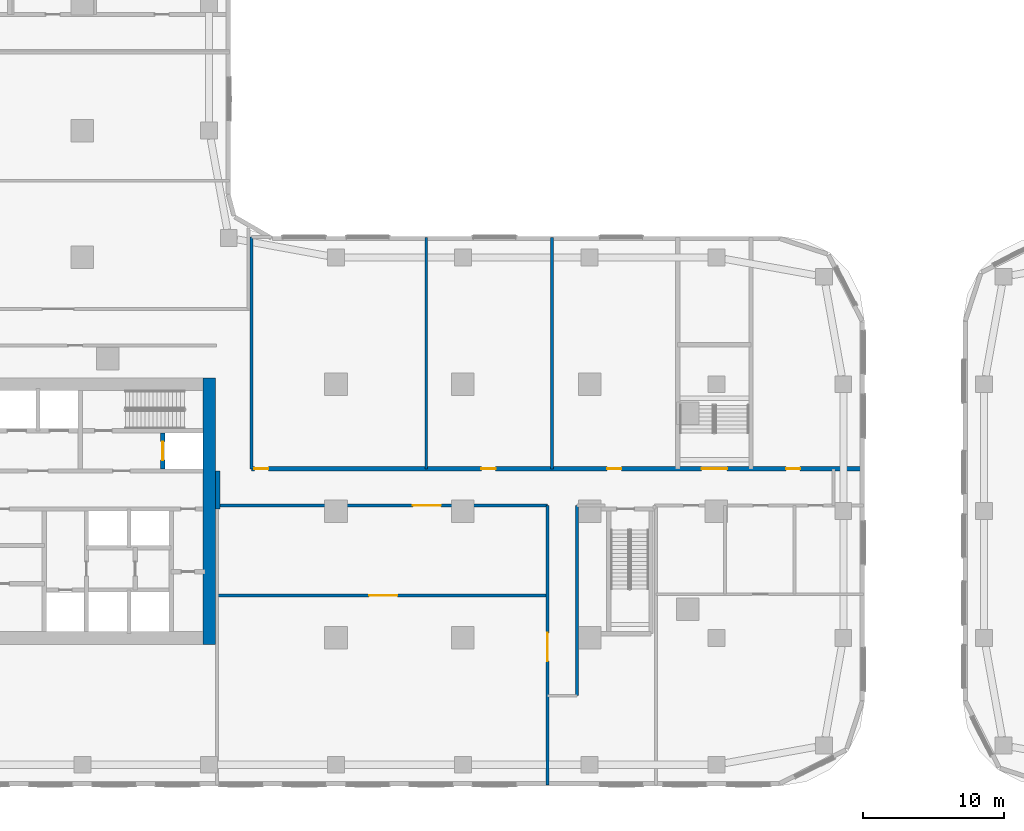
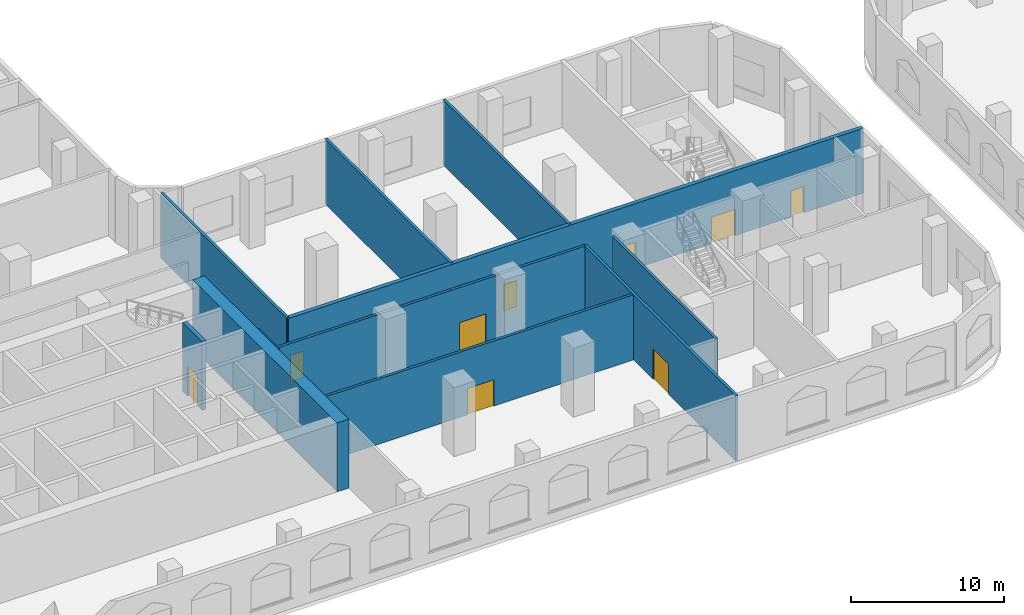
# One storey, part 5 of 31: 11 walls, 9 doors, 9 openings.
"""IFC4 building model written with IfcOpenShell, lengths in metres."""

from ifc_helpers import new_model, si_unit, direction, frame, frame_2d, origin, place, context, subcontext, project, spatial, rectangle, extrude, material, layer, layer_set, type_object, element, fill, save


model = new_model("IFC4")

# Units and contexts
model_context = context("Model", 3, precision=1e-05, world=origin(), true_north=direction((0.0, 1.0)))
body_context = subcontext(model_context, "Body", "Model", "MODEL_VIEW")
ifc_project = project(units=[si_unit("LENGTHUNIT", "METRE"), si_unit("AREAUNIT", "SQUARE_METRE"), si_unit("VOLUMEUNIT", "CUBIC_METRE"), si_unit("PLANEANGLEUNIT", "RADIAN"), si_unit("MASSUNIT", "GRAM", prefix="KILO")], contexts=[model_context])

# Site, building, storey
site_placement = place(None, origin())
site = spatial("IfcSite", under=ifc_project, at=site_placement, CompositionType="ELEMENT")
building_placement = place(site_placement, origin())
building = spatial("IfcBuilding", under=site, at=building_placement, Name="Ogive Portal Towers", CompositionType="ELEMENT")
storey_placement = place(building_placement, frame((0.0, 0.0, 8.0)))
storey = spatial("IfcBuildingStorey", under=building, at=storey_placement, Name="L01", CompositionType="ELEMENT", Elevation=8.0)

# Wall, opening, door
ifc_material_1 = material(Name="Concrete C60/75", Category="concrete")
ifc_layer_1 = layer(ifc_material_1, 0.300048828125)
ifc_layer_set_1 = layer_set([ifc_layer_1], Name="CORE WALL 300 C60")
wall_type_1 = type_object("IfcWallType", Name="CORE WALL 300 C60", PredefinedType="SHEAR", material=ifc_layer_set_1)
wall_1_placement = place(storey_placement, frame((55.199951171875, 33.5, 0.0), z_axis=(0.0, 0.0, 1.0), x_axis=(0.0, 1.0, 0.0)))
wall_1 = element("IfcWall", 1, at=wall_1_placement, inside=storey, type_object=wall_type_1, Name="Core wall X10 L01", PredefinedType="SHEAR", context=body_context, shape_type="SweptSolid", body=[
    extrude(rectangle(XDim=2.550048828125, YDim=0.300048828125, at=frame_2d((1.27490234375, 0.0))), origin(), (0.0, 0.0, 1.0), 5.5),
])
opening_1_placement = place(wall_1_placement, frame((0.625, 0.0, 0.0)))
opening_1 = element("IfcOpeningElement", 2, at=opening_1_placement, cuts=wall_1, Name="Opening D103-018", PredefinedType="OPENING", context=body_context, shape_type="SweptSolid", body=[
    extrude(rectangle(XDim=1.300048828125, YDim=2.39990234375, at=frame_2d((0.64990234375, 1.199951171875))), frame((0.0, 0.16015625, 0.0), z_axis=(0.0, -1.0, 0.0), x_axis=(1.0, 0.0, 0.0)), (0.0, 0.0, 1.0), 0.320068359375),
])
ifc_material_2 = material(Name="Stainless steel", Category="steel")
door_type_1 = type_object("IfcDoorType", Name="DT-LD-1300x2400", OperationType="SLIDING_TO_LEFT", PredefinedType="DOOR", material=ifc_material_2)
door_1_placement = place(opening_1_placement, origin())
door_1 = element("IfcDoor", 3, at=door_1_placement, inside=storey, type_object=door_type_1, Name="Door D103-018", OperationType="SLIDING_TO_LEFT", OverallHeight=2.39990234375, OverallWidth=1.300048828125, PredefinedType="DOOR", context=body_context, shape_type="SweptSolid", body=[
    extrude(rectangle(XDim=1.300048828125, YDim=2.39990234375, at=frame_2d((0.64990234375, 1.199951171875))), frame((0.0, 0.02490234375, 0.0), z_axis=(0.0, -1.0, 0.0), x_axis=(1.0, 0.0, 0.0)), (0.0, 0.0, 1.0), 0.050048828125),
])
fill(opening_1, door_1)

# Wall
ifc_layer_2 = layer(ifc_material_1, 0.89990234375)
ifc_layer_set_2 = layer_set([ifc_layer_2], Name="CORE WALL 900 C60")
wall_type_2 = type_object("IfcWallType", Name="CORE WALL 900 C60", PredefinedType="SHEAR", material=ifc_layer_set_2)
wall_2_placement = place(storey_placement, frame((58.5, 21.050048828125, 0.0), z_axis=(0.0, 0.0, 1.0), x_axis=(0.0, 1.0, 0.0)))
element("IfcWall", 4, at=wall_2_placement, inside=storey, type_object=wall_type_2, Name="Core wall E L01", PredefinedType="SHEAR", context=body_context, shape_type="SweptSolid", body=[
    extrude(rectangle(XDim=18.89990234375, YDim=0.89990234375, at=frame_2d((9.449951171875, 0.0))), origin(), (0.0, 0.0, 1.0), 5.5),
])

# Wall, openings, doors
ifc_material_3 = material(Name="Concrete C50/60", Category="concrete")
ifc_layer_3 = layer(ifc_material_3, 0.300048828125)
ifc_layer_set_3 = layer_set([ifc_layer_3], Name="STAIR WALL 300 C50")
wall_type_3 = type_object("IfcWallType", Name="STAIR WALL 300 C50", PredefinedType="SHEAR", material=ifc_layer_set_3)
wall_3_placement = place(storey_placement, frame((61.5, 33.5, 0.0), z_axis=(0.0, 0.0, 1.0), x_axis=(1.0, 0.0, 0.0)))
wall_3 = element("IfcWall", 5, at=wall_3_placement, inside=storey, type_object=wall_type_3, Name="Stair wall ST-P1 L01", PredefinedType="SHEAR", context=body_context, shape_type="SweptSolid", body=[
    extrude(rectangle(XDim=43.429931640625, YDim=0.300048828125, at=frame_2d((21.71484375, 0.0))), origin(), (0.0, 0.0, 1.0), 5.199951171875),
])
opening_2_placement = place(wall_3_placement, frame((31.949951171875, 0.0, 0.0)))
opening_2 = element("IfcOpeningElement", 6, at=opening_2_placement, cuts=wall_3, Name="Opening P01-003", PredefinedType="OPENING", context=body_context, shape_type="SweptSolid", body=[
    extrude(rectangle(XDim=1.800048828125, YDim=2.10009765625, at=frame_2d((0.89990234375, 1.050048828125))), frame((0.0, 0.16015625, 0.0), z_axis=(0.0, -1.0, 0.0), x_axis=(1.0, 0.0, 0.0)), (0.0, 0.0, 1.0), 0.320068359375),
])
opening_3_placement = place(wall_3_placement, frame((0.199951171875, 0.0, 0.0)))
opening_3 = element("IfcOpeningElement", 7, at=opening_3_placement, cuts=wall_3, Name="Opening P01-015", PredefinedType="OPENING", context=body_context, shape_type="SweptSolid", body=[
    extrude(rectangle(XDim=1.0, YDim=2.10009765625, at=frame_2d((0.5, 1.050048828125))), frame((0.0, 0.16015625, 0.0), z_axis=(0.0, -1.0, 0.0), x_axis=(1.0, 0.0, 0.0)), (0.0, 0.0, 1.0), 0.320068359375),
])
opening_4_placement = place(wall_3_placement, frame((16.324951171875, 0.0, 0.0)))
opening_4 = element("IfcOpeningElement", 8, at=opening_4_placement, cuts=wall_3, Name="Opening P01-016", PredefinedType="OPENING", context=body_context, shape_type="SweptSolid", body=[
    extrude(rectangle(XDim=1.0, YDim=2.10009765625, at=frame_2d((0.5, 1.050048828125))), frame((0.0, 0.16015625, 0.0), z_axis=(0.0, -1.0, 0.0), x_axis=(1.0, 0.0, 0.0)), (0.0, 0.0, 1.0), 0.320068359375),
])
opening_5_placement = place(wall_3_placement, frame((25.24609375, 0.0, 0.0)))
opening_5 = element("IfcOpeningElement", 9, at=opening_5_placement, cuts=wall_3, Name="Opening P01-017", PredefinedType="OPENING", context=body_context, shape_type="SweptSolid", body=[
    extrude(rectangle(XDim=1.0, YDim=2.10009765625, at=frame_2d((0.5, 1.050048828125))), frame((0.0, 0.16015625, 0.0), z_axis=(0.0, -1.0, 0.0), x_axis=(1.0, 0.0, 0.0)), (0.0, 0.0, 1.0), 0.320068359375),
])
opening_6_placement = place(wall_3_placement, frame((37.945068359375, 0.0, 0.0)))
opening_6 = element("IfcOpeningElement", 10, at=opening_6_placement, cuts=wall_3, Name="Opening P01-018", PredefinedType="OPENING", context=body_context, shape_type="SweptSolid", body=[
    extrude(rectangle(XDim=1.0, YDim=2.10009765625, at=frame_2d((0.5, 1.050048828125))), frame((0.0, 0.16015625, 0.0), z_axis=(0.0, -1.0, 0.0), x_axis=(1.0, 0.0, 0.0)), (0.0, 0.0, 1.0), 0.320068359375),
])
ifc_material_4 = material(Name="Steel fire door", Category="steel")
door_type_2 = type_object("IfcDoorType", Name="DT-SWING-1000x2100-FD90S", OperationType="SINGLE_SWING_LEFT", PredefinedType="DOOR", material=ifc_material_4)
door_2_placement = place(opening_3_placement, origin())
door_2 = element("IfcDoor", 11, at=door_2_placement, inside=storey, type_object=door_type_2, Name="Door P01-015", OperationType="SINGLE_SWING_LEFT", OverallHeight=2.10009765625, OverallWidth=1.0, PredefinedType="DOOR", context=body_context, shape_type="SweptSolid", body=[
    extrude(rectangle(XDim=1.0, YDim=2.10009765625, at=frame_2d((0.5, 1.050048828125))), frame((0.0, 0.02490234375, 0.0), z_axis=(0.0, -1.0, 0.0), x_axis=(1.0, 0.0, 0.0)), (0.0, 0.0, 1.0), 0.050048828125),
])
fill(opening_3, door_2)
door_3_placement = place(opening_4_placement, origin())
door_3 = element("IfcDoor", 12, at=door_3_placement, inside=storey, type_object=door_type_2, Name="Door P01-016", OperationType="SINGLE_SWING_RIGHT", OverallHeight=2.10009765625, OverallWidth=1.0, PredefinedType="DOOR", context=body_context, shape_type="SweptSolid", body=[
    extrude(rectangle(XDim=1.0, YDim=2.10009765625, at=frame_2d((0.5, 1.050048828125))), frame((0.0, 0.02490234375, 0.0), z_axis=(0.0, -1.0, 0.0), x_axis=(1.0, 0.0, 0.0)), (0.0, 0.0, 1.0), 0.050048828125),
])
fill(opening_4, door_3)
door_4_placement = place(opening_5_placement, origin())
door_4 = element("IfcDoor", 13, at=door_4_placement, inside=storey, type_object=door_type_2, Name="Door P01-017", OperationType="SINGLE_SWING_LEFT", OverallHeight=2.10009765625, OverallWidth=1.0, PredefinedType="DOOR", context=body_context, shape_type="SweptSolid", body=[
    extrude(rectangle(XDim=1.0, YDim=2.10009765625, at=frame_2d((0.5, 1.050048828125))), frame((0.0, 0.02490234375, 0.0), z_axis=(0.0, -1.0, 0.0), x_axis=(1.0, 0.0, 0.0)), (0.0, 0.0, 1.0), 0.050048828125),
])
fill(opening_5, door_4)
door_5_placement = place(opening_6_placement, origin())
door_5 = element("IfcDoor", 14, at=door_5_placement, inside=storey, type_object=door_type_2, Name="Door P01-018", OperationType="SINGLE_SWING_RIGHT", OverallHeight=2.10009765625, OverallWidth=1.0, PredefinedType="DOOR", context=body_context, shape_type="SweptSolid", body=[
    extrude(rectangle(XDim=1.0, YDim=2.10009765625, at=frame_2d((0.5, 1.050048828125))), frame((0.0, 0.02490234375, 0.0), z_axis=(0.0, -1.0, 0.0), x_axis=(1.0, 0.0, 0.0)), (0.0, 0.0, 1.0), 0.050048828125),
])
fill(opening_6, door_5)
door_type_3 = type_object("IfcDoorType", Name="DT-SWING-1800x2100-FD90S", OperationType="SINGLE_SWING_LEFT", PredefinedType="DOOR", material=ifc_material_4)
door_6_placement = place(opening_2_placement, origin())
door_6 = element("IfcDoor", 15, at=door_6_placement, inside=storey, type_object=door_type_3, Name="Door P01-003", OperationType="SINGLE_SWING_LEFT", OverallHeight=2.10009765625, OverallWidth=1.800048828125, PredefinedType="DOOR", context=body_context, shape_type="SweptSolid", body=[
    extrude(rectangle(XDim=1.800048828125, YDim=2.10009765625, at=frame_2d((0.89990234375, 1.050048828125))), frame((0.0, 0.02490234375, 0.0), z_axis=(0.0, -1.0, 0.0), x_axis=(1.0, 0.0, 0.0)), (0.0, 0.0, 1.0), 0.050048828125),
])
fill(opening_2, door_6)

# Wall, opening, door
ifc_material_5 = material(Name="Gypsum board partition on steel studs", Category="steel")
ifc_layer_4 = layer(ifc_material_5, 0.199951171875)
ifc_layer_set_4 = layer_set([ifc_layer_4], Name="WT-PART-200-EI 60")
wall_type_4 = type_object("IfcWallType", Name="WT-PART-200-EI 60", PredefinedType="PARTITIONING", material=ifc_layer_set_4)
wall_4_placement = place(storey_placement, frame((59.050048828125, 24.5, 0.0), z_axis=(0.0, 0.0, 1.0), x_axis=(1.0, 0.0, 0.0)))
wall_4 = element("IfcWall", 16, at=wall_4_placement, inside=storey, type_object=wall_type_4, Name="Wall L01:w009", PredefinedType="PARTITIONING", context=body_context, shape_type="SweptSolid", body=[
    extrude(rectangle(XDim=23.449951171875, YDim=0.199951171875, at=frame_2d((11.72509765625, 0.0))), origin(), (0.0, 0.0, 1.0), 5.199951171875),
])
opening_7_placement = place(wall_4_placement, frame((10.800048828125, 0.0, 0.0)))
opening_7 = element("IfcOpeningElement", 17, at=opening_7_placement, cuts=wall_4, Name="Opening P01-032", PredefinedType="OPENING", context=body_context, shape_type="SweptSolid", body=[
    extrude(rectangle(XDim=2.0, YDim=2.10009765625, at=frame_2d((1.0, 1.050048828125))), frame((0.0, 0.10986328125, 0.0), z_axis=(0.0, -1.0, 0.0), x_axis=(1.0, 0.0, 0.0)), (0.0, 0.0, 1.0), 0.219970703125),
])
door_type_4 = type_object("IfcDoorType", Name="DT-SWING-2000x2100-FD60S", OperationType="SINGLE_SWING_LEFT", PredefinedType="DOOR", material=ifc_material_4)
door_7_placement = place(opening_7_placement, origin())
door_7 = element("IfcDoor", 18, at=door_7_placement, inside=storey, type_object=door_type_4, Name="Door P01-032", OperationType="SINGLE_SWING_RIGHT", OverallHeight=2.10009765625, OverallWidth=2.0, PredefinedType="DOOR", context=body_context, shape_type="SweptSolid", body=[
    extrude(rectangle(XDim=2.0, YDim=2.10009765625, at=frame_2d((1.0, 1.050048828125))), frame((0.0, 0.02490234375, 0.0), z_axis=(0.0, -1.0, 0.0), x_axis=(1.0, 0.0, 0.0)), (0.0, 0.0, 1.0), 0.050048828125),
])
fill(opening_7, door_7)

wall_5_placement = place(storey_placement, frame((58.969970703125, 30.89990234375, 0.0), z_axis=(0.0, 0.0, 1.0), x_axis=(1.0, 0.0, 0.0)))
wall_5 = element("IfcWall", 19, at=wall_5_placement, inside=storey, type_object=wall_type_4, Name="Wall L01:w013", PredefinedType="PARTITIONING", context=body_context, shape_type="SweptSolid", body=[
    extrude(rectangle(XDim=23.530029296875, YDim=0.199951171875, at=frame_2d((11.76513671875, 0.0))), origin(), (0.0, 0.0, 1.0), 5.199951171875),
])
opening_8_placement = place(wall_5_placement, frame((13.97998046875, 0.0, 0.0)))
opening_8 = element("IfcOpeningElement", 20, at=opening_8_placement, cuts=wall_5, Name="Opening P01-010", PredefinedType="OPENING", context=body_context, shape_type="SweptSolid", body=[
    extrude(rectangle(XDim=2.0, YDim=2.39990234375, at=frame_2d((1.0, 1.199951171875))), frame((0.0, 0.10986328125, 0.0), z_axis=(0.0, -1.0, 0.0), x_axis=(1.0, 0.0, 0.0)), (0.0, 0.0, 1.0), 0.219970703125),
])
door_type_5 = type_object("IfcDoorType", Name="DT-HALL-2000x2400-FD60S", OperationType="SINGLE_SWING_LEFT", PredefinedType="DOOR", material=ifc_material_4)
door_8_placement = place(opening_8_placement, origin())
door_8 = element("IfcDoor", 21, at=door_8_placement, inside=storey, type_object=door_type_5, Name="Door P01-010", OperationType="SINGLE_SWING_RIGHT", OverallHeight=2.39990234375, OverallWidth=2.0, PredefinedType="DOOR", context=body_context, shape_type="SweptSolid", body=[
    extrude(rectangle(XDim=2.0, YDim=2.39990234375, at=frame_2d((1.0, 1.199951171875))), frame((0.0, 0.02490234375, 0.0), z_axis=(0.0, -1.0, 0.0), x_axis=(1.0, 0.0, 0.0)), (0.0, 0.0, 1.0), 0.050048828125),
])
fill(opening_8, door_8)

# Walls
wall_6_placement = place(storey_placement, frame((61.5, 33.5, 0.0), z_axis=(0.0, 0.0, 1.0), x_axis=(0.0, 1.0, 0.0)))
element("IfcWall", 22, at=wall_6_placement, inside=storey, type_object=wall_type_4, Name="Wall L01:w080", PredefinedType="PARTITIONING", context=body_context, shape_type="SweptSolid", body=[
    extrude(rectangle(XDim=16.449951171875, YDim=0.199951171875, at=frame_2d((8.22509765625, 0.0))), origin(), (0.0, 0.0, 1.0), 5.199951171875),
])
wall_7_placement = place(storey_placement, frame((73.908935546875, 33.5, 0.0), z_axis=(0.0, 0.0, 1.0), x_axis=(0.0, 1.0, 0.0)))
element("IfcWall", 23, at=wall_7_placement, inside=storey, type_object=wall_type_4, Name="Wall L01:w081", PredefinedType="PARTITIONING", context=body_context, shape_type="SweptSolid", body=[
    extrude(rectangle(XDim=16.429931640625, YDim=0.199951171875, at=frame_2d((8.21484375, 0.0))), origin(), (0.0, 0.0, 1.0), 5.199951171875),
])

# Wall, opening, door
wall_8_placement = place(storey_placement, frame((82.5, 11.070068359375, 0.0), z_axis=(0.0, 0.0, 1.0), x_axis=(0.0, 1.0, 0.0)))
wall_8 = element("IfcWall", 24, at=wall_8_placement, inside=storey, type_object=wall_type_4, Name="Wall L01:w082", PredefinedType="PARTITIONING", context=body_context, shape_type="SweptSolid", body=[
    extrude(rectangle(XDim=19.829833984375, YDim=0.199951171875, at=frame_2d((9.9150390625, 0.0))), origin(), (0.0, 0.0, 1.0), 5.199951171875),
])
opening_9_placement = place(wall_8_placement, frame((8.780029296875, 0.0, 0.0)))
opening_9 = element("IfcOpeningElement", 25, at=opening_9_placement, cuts=wall_8, Name="Opening P01-009", PredefinedType="OPENING", context=body_context, shape_type="SweptSolid", body=[
    extrude(rectangle(XDim=2.0, YDim=2.39990234375, at=frame_2d((1.0, 1.199951171875))), frame((0.0, 0.10986328125, 0.0), z_axis=(0.0, -1.0, 0.0), x_axis=(1.0, 0.0, 0.0)), (0.0, 0.0, 1.0), 0.219970703125),
])
door_9_placement = place(opening_9_placement, origin())
door_9 = element("IfcDoor", 26, at=door_9_placement, inside=storey, type_object=door_type_5, Name="Door P01-009", OperationType="SINGLE_SWING_LEFT", OverallHeight=2.39990234375, OverallWidth=2.0, PredefinedType="DOOR", context=body_context, shape_type="SweptSolid", body=[
    extrude(rectangle(XDim=2.0, YDim=2.39990234375, at=frame_2d((1.0, 1.199951171875))), frame((0.0, 0.02490234375, 0.0), z_axis=(0.0, -1.0, 0.0), x_axis=(1.0, 0.0, 0.0)), (0.0, 0.0, 1.0), 0.050048828125),
])
fill(opening_9, door_9)

# Walls
wall_9_placement = place(storey_placement, frame((82.8291015625, 33.5, 0.0), z_axis=(0.0, 0.0, 1.0), x_axis=(0.0, 1.0, 0.0)))
element("IfcWall", 27, at=wall_9_placement, inside=storey, type_object=wall_type_4, Name="Wall L01:w083", PredefinedType="PARTITIONING", context=body_context, shape_type="SweptSolid", body=[
    extrude(rectangle(XDim=16.429931640625, YDim=0.199951171875, at=frame_2d((8.21484375, 0.0))), origin(), (0.0, 0.0, 1.0), 5.199951171875),
])
wall_10_placement = place(storey_placement, frame((84.60009765625, 17.39990234375, 0.0), z_axis=(0.0, 0.0, 1.0), x_axis=(0.0, 1.0, 0.0)))
element("IfcWall", 28, at=wall_10_placement, inside=storey, type_object=wall_type_4, Name="Wall L01:w084", PredefinedType="PARTITIONING", context=body_context, shape_type="SweptSolid", body=[
    extrude(rectangle(XDim=13.5, YDim=0.199951171875, at=frame_2d((6.75, 0.0))), origin(), (0.0, 0.0, 1.0), 5.199951171875),
])
ifc_layer_5 = layer(ifc_material_5, 0.300048828125)
ifc_layer_set_5 = layer_set([ifc_layer_5], Name="WT-PART-300")
wall_type_5 = type_object("IfcWallType", Name="WT-PART-300", PredefinedType="PARTITIONING", material=ifc_layer_set_5)
wall_11_placement = place(storey_placement, frame((59.10009765625, 30.64990234375, 0.0), z_axis=(0.0, 0.0, 1.0), x_axis=(0.0, 1.0, 0.0)))
element("IfcWall", 29, at=wall_11_placement, inside=storey, type_object=wall_type_5, Name="Wall pw:019:L01", PredefinedType="PARTITIONING", context=body_context, shape_type="SweptSolid", body=[
    extrude(rectangle(XDim=2.7001953125, YDim=0.300048828125, at=frame_2d((1.35009765625, 0.0))), origin(), (0.0, 0.0, 1.0), 5.199951171875),
])

save(model, "model.ifc")
